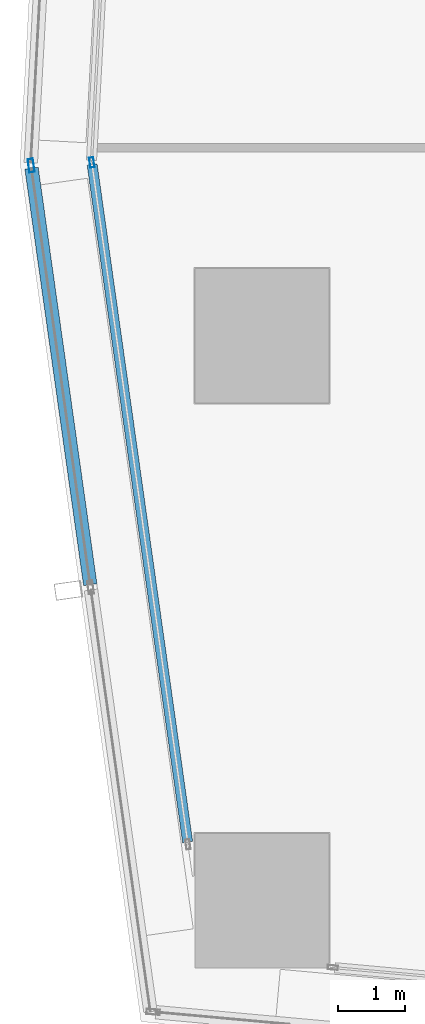
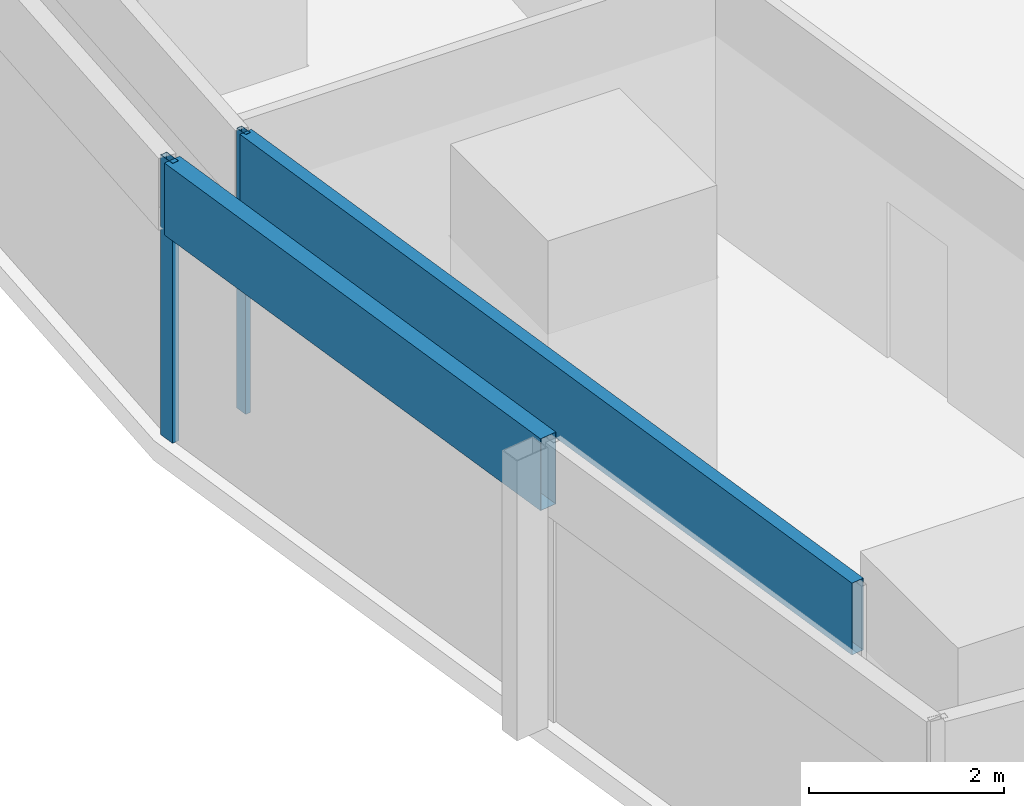
# One storey, part 4 of 39: 4 members, 2 elements without a shape of their own.
"""IFC4 building model written with IfcOpenShell, lengths in metres."""

from ifc_helpers import new_model, si_unit, direction, frame, origin, origin_2d, place, context, subcontext, project, spatial, hollow_rectangle, extrude, material, material_profile, profile_set, type_object, element, aggregate, save


model = new_model("IFC4")

# Units and contexts
model_context = context("Model", 3, precision=1e-05, world=origin(), true_north=direction((0.0, 1.0)))
body_context = subcontext(model_context, "Body", "Model", "MODEL_VIEW")
ifc_project = project(units=[si_unit("LENGTHUNIT", "METRE"), si_unit("AREAUNIT", "SQUARE_METRE"), si_unit("VOLUMEUNIT", "CUBIC_METRE"), si_unit("PLANEANGLEUNIT", "RADIAN"), si_unit("MASSUNIT", "GRAM", prefix="KILO")], contexts=[model_context])

# Site, building, storey
site_placement = place(None, origin())
site = spatial("IfcSite", under=ifc_project, at=site_placement, CompositionType="ELEMENT")
building_placement = place(site_placement, origin())
building = spatial("IfcBuilding", under=site, at=building_placement, Name="Rekha Terrace Tower", CompositionType="ELEMENT")
storey_placement = place(building_placement, frame((0.0, 0.0, 147.800048828125)))
storey = spatial("IfcBuildingStorey", under=building, at=storey_placement, Name="L37", CompositionType="ELEMENT", Elevation=147.800048828125)

# Curtain wall, members
ifc_material_1 = material(Name="Aluminium framing", Category="aluminium")
curtain_wall_type_1 = type_object("IfcCurtainWallType", Name="CW1 double skin inner glazing", PredefinedType="USERDEFINED", material=ifc_material_1)
curtain_wall_1_placement = place(storey_placement, origin())
curtain_wall_1 = element("IfcCurtainWall", 1, at=curtain_wall_1_placement, inside=storey, type_object=curtain_wall_type_1, Name="CW1 double skin inner glazing", ObjectType="DOUBLE SKIN INNER GLAZING", PredefinedType="USERDEFINED")
ifc_material_2 = material(Name="Aluminium mullion section", Category="aluminium")
ifc_material_profile_1 = material_profile(ifc_material_2, hollow_rectangle(XDim=0.06494140625, YDim=0.14990234375, WallThickness=0.00390625, at=origin_2d()), Name="AL RHS 65x150")
ifc_profile_set_1 = profile_set([ifc_material_profile_1], Name="Aluminium mullion section")
member_type_1 = type_object("IfcMemberType", Name="CW1 mullion RHS 65 x 150", PredefinedType="MULLION", material=ifc_profile_set_1)
member_1_placement = place(storey_placement, frame((5.86865234375, 27.78125, 0.0), z_axis=(0.0, 0.0, 1.0), x_axis=(0.990208394312, 0.139597048082, 0.0)))
member_1 = element("IfcMember", 2, at=member_1_placement, type_object=member_type_1, Name="CW1 mullion 1", PredefinedType="MULLION", context=body_context, shape_type="SweptSolid", body=[
    extrude(hollow_rectangle(XDim=0.06494140625, YDim=0.14990234375, WallThickness=0.00390625, at=origin_2d()), origin(), (0.0, 0.0, 1.0), 3.5),
])
ifc_material_3 = material(Name="Insulated aluminium spandrel box", Category="aluminium")
ifc_material_profile_2 = material_profile(ifc_material_3, hollow_rectangle(XDim=0.14990234375, YDim=0.89990234375, WallThickness=0.0029296875, at=origin_2d()), Name="AL SPANDREL BOX 150x900")
ifc_profile_set_2 = profile_set([ifc_material_profile_2], Name="Insulated aluminium spandrel box")
member_type_2 = type_object("IfcMemberType", Name="CW1 spandrel transom 150 x 900", PredefinedType="USERDEFINED", material=ifc_profile_set_2)
member_2_placement = place(storey_placement, frame((5.873046875, 27.7490234375, 3.050048828125), z_axis=(0.139597711184, -0.99020830083, 0.0), x_axis=(0.99020830083, 0.139597711184, 0.0)))
member_2 = element("IfcMember", 3, at=member_2_placement, type_object=member_type_2, Name="CW1 spandrel transom 1", ObjectType="TRANSOM", PredefinedType="USERDEFINED", context=body_context, shape_type="SweptSolid", body=[
    extrude(hollow_rectangle(XDim=0.14990234375, YDim=0.89990234375, WallThickness=0.0029296875, at=origin_2d()), origin(), (0.0, 0.0, 1.0), 10.178466796875),
])
aggregate(curtain_wall_1, [member_1, member_2])

curtain_wall_type_2 = type_object("IfcCurtainWallType", Name="CW2 double skin outer glazing", PredefinedType="USERDEFINED", material=ifc_material_1)
curtain_wall_2_placement = place(storey_placement, origin())
curtain_wall_2 = element("IfcCurtainWall", 4, at=curtain_wall_2_placement, inside=storey, type_object=curtain_wall_type_2, Name="CW2 double skin outer glazing", ObjectType="DOUBLE SKIN OUTER GLAZING", PredefinedType="USERDEFINED")
ifc_material_profile_3 = material_profile(ifc_material_2, hollow_rectangle(XDim=0.080078125, YDim=0.199951171875, WallThickness=0.00390625, at=origin_2d()), Name="AL RHS 80x200")
ifc_profile_set_3 = profile_set([ifc_material_profile_3], Name="Aluminium mullion section")
member_type_3 = type_object("IfcMemberType", Name="CW2 mullion RHS 80 x 200", PredefinedType="MULLION", material=ifc_profile_set_3)
member_3_placement = place(storey_placement, frame((4.96630859375, 27.7353515625, 0.0), z_axis=(0.0, 0.0, 1.0), x_axis=(0.990208394312, 0.139597048082, 0.0)))
member_3 = element("IfcMember", 5, at=member_3_placement, type_object=member_type_3, Name="CW2 mullion 1", PredefinedType="MULLION", context=body_context, shape_type="SweptSolid", body=[
    extrude(hollow_rectangle(XDim=0.080078125, YDim=0.199951171875, WallThickness=0.00390625, at=origin_2d()), origin(), (0.0, 0.0, 1.0), 3.5),
])
ifc_material_profile_4 = material_profile(ifc_material_3, hollow_rectangle(XDim=0.199951171875, YDim=0.89990234375, WallThickness=0.0029296875, at=origin_2d()), Name="AL SPANDREL BOX 200x900")
ifc_profile_set_4 = profile_set([ifc_material_profile_4], Name="Insulated aluminium spandrel box")
member_type_4 = type_object("IfcMemberType", Name="CW2 spandrel transom 200 x 900", PredefinedType="USERDEFINED", material=ifc_profile_set_4)
member_4_placement = place(storey_placement, frame((4.9716796875, 27.695556640625, 3.050048828125), z_axis=(0.139596256865, -0.990208505856, 0.0), x_axis=(0.990208505856, 0.139596256865, 0.0)))
member_4 = element("IfcMember", 6, at=member_4_placement, type_object=member_type_4, Name="CW2 spandrel transom 1", ObjectType="TRANSOM", PredefinedType="USERDEFINED", context=body_context, shape_type="SweptSolid", body=[
    extrude(hollow_rectangle(XDim=0.199951171875, YDim=0.89990234375, WallThickness=0.0029296875, at=origin_2d()), origin(), (0.0, 0.0, 1.0), 6.255859375),
])
aggregate(curtain_wall_2, [member_3, member_4])

save(model, "model.ifc")
